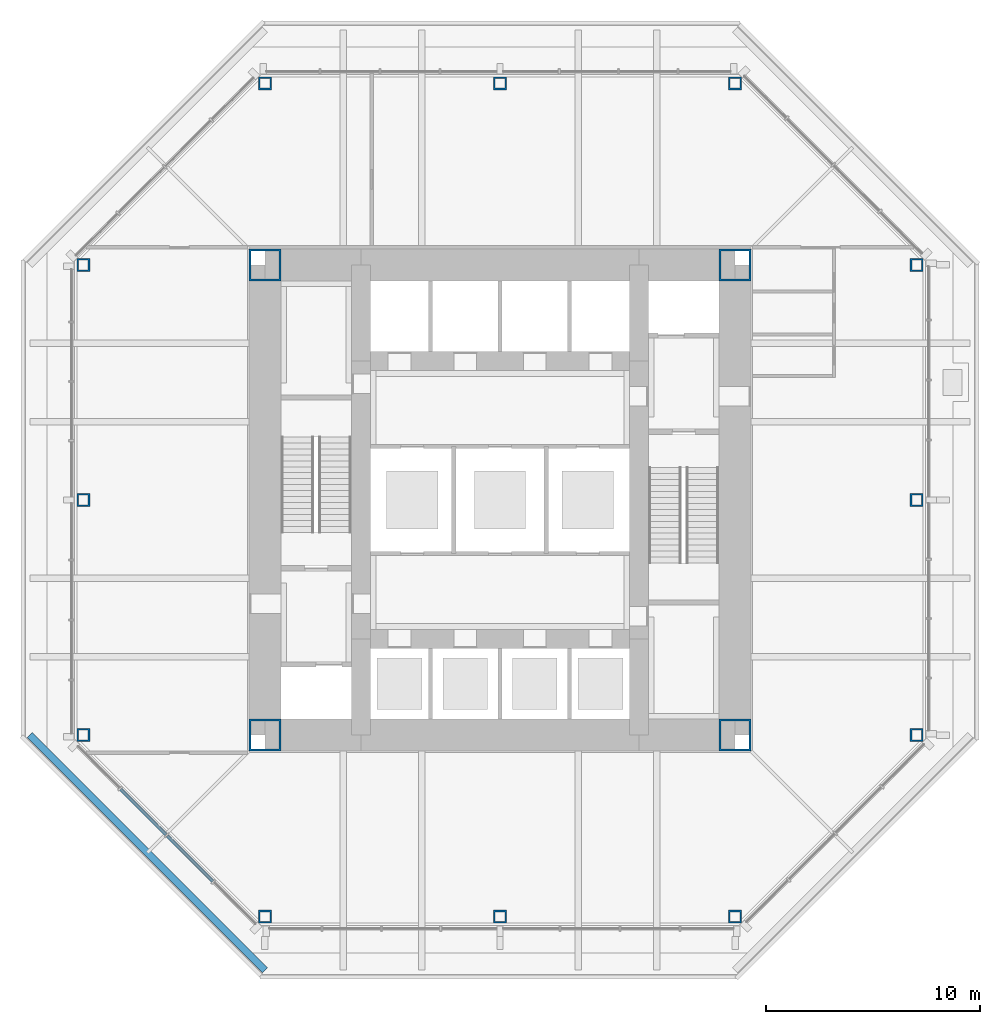
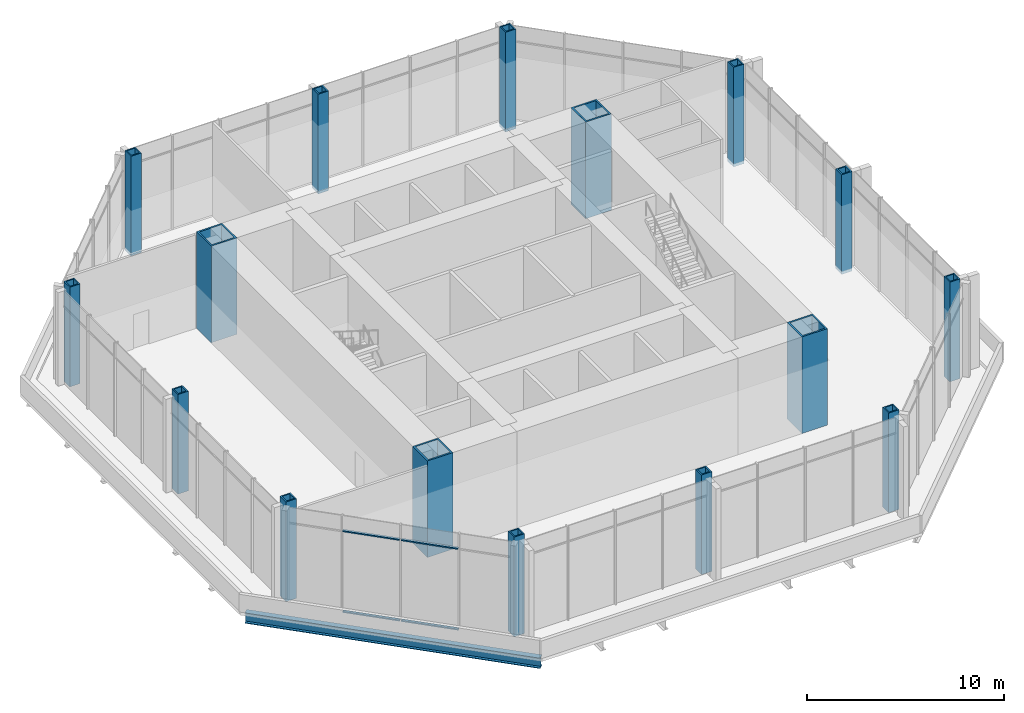
# One storey, part 1 of 10: 16 columns, 4 members, 1 beam, 1 element without a shape of its own.
"""IFC4 building model written with IfcOpenShell, lengths in metres."""

from ifc_helpers import new_model, si_unit, direction, frame, origin, origin_2d, place, context, subcontext, project, spatial, rectangle, hollow_rectangle, i_section, extrude, material, material_profile, profile_set, type_object, element, aggregate, save


model = new_model("IFC4")

# Units and contexts
model_context = context("Model", 3, precision=1e-05, world=origin(), true_north=direction((0.0, 1.0)))
body_context = subcontext(model_context, "Body", "Model", "MODEL_VIEW")
ifc_project = project(units=[si_unit("LENGTHUNIT", "METRE"), si_unit("AREAUNIT", "SQUARE_METRE"), si_unit("VOLUMEUNIT", "CUBIC_METRE"), si_unit("PLANEANGLEUNIT", "RADIAN"), si_unit("MASSUNIT", "GRAM", prefix="KILO")], contexts=[model_context])

# Site, building, storey
site_placement = place(None, origin())
site = spatial("IfcSite", under=ifc_project, at=site_placement, CompositionType="ELEMENT")
building_placement = place(site_placement, origin())
building = spatial("IfcBuilding", under=site, at=building_placement, Name="Trevanion Tower", CompositionType="ELEMENT")
storey_placement = place(building_placement, frame((0.0, 0.0, 184.699951171875)))
storey = spatial("IfcBuildingStorey", under=building, at=storey_placement, Name="L43", CompositionType="ELEMENT", Elevation=184.699951171875)

# Columns
ifc_material_1 = material(Name="Steel ASTM A572 Grade 50", Category="steel")
ifc_material_profile_1 = material_profile(ifc_material_1, hollow_rectangle(XDim=0.609619140625, YDim=0.609619140625, WallThickness=0.076171875, at=origin_2d()), Name="BOX24X24X3")
ifc_profile_set_1 = profile_set([ifc_material_profile_1], Name="Steel ASTM A572 Grade 50")
column_type_1 = type_object("IfcColumnType", Name="C5 BOX24X24X3", PredefinedType="COLUMN", material=ifc_profile_set_1)
for number, where, z_axis, x_axis, name in (
    (1, (-19.5, 0.0, -0.18994140625), (0.0, 0.0, 1.0), (0.0, 1.0, 0.0), "C5 5/H L43"),
    (2, (-19.5, -11.0, -0.18994140625), (0.0, 0.0, 1.0), (0.0, 1.0, 0.0), "C5 5/F L43"),
    (3, (-11.0, -19.5, -0.18994140625), (0.0, 0.0, 1.0), (1.0, 0.0, 0.0), "C5 8/C L43"),
    (4, (0.0, -19.5, -0.18994140625), (0.0, 0.0, 1.0), (1.0, 0.0, 0.0), "C5 10/C L43"),
    (5, (11.0, -19.5, -0.18994140625), (0.0, 0.0, 1.0), (1.0, 0.0, 0.0), "C5 12/C L43"),
    (6, (19.5, -11.0, -0.18994140625), (0.0, 0.0, 1.0), (0.0, 1.0, 0.0), "C5 15/F L43"),
    (7, (19.5, 0.0, -0.18994140625), (0.0, 0.0, 1.0), (0.0, 1.0, 0.0), "C5 15/H L43"),
    (8, (19.5, 11.0, -0.18994140625), (0.0, 0.0, 1.0), (0.0, 1.0, 0.0), "C5 15/K L43"),
    (9, (11.0, 19.5, -0.18994140625), (0.0, 0.0, 1.0), (1.0, 0.0, 0.0), "C5 12/N L43"),
    (10, (0.0, 19.5, -0.18994140625), (0.0, 0.0, 1.0), (1.0, 0.0, 0.0), "C5 10/N L43"),
    (11, (-11.0, 19.5, -0.18994140625), (0.0, 0.0, 1.0), (1.0, 0.0, 0.0), "C5 8/N L43"),
    (12, (-19.5, 11.0, -0.18994140625), (0.0, 0.0, 1.0), (0.0, 1.0, 0.0), "C5 5/K L43"),
):
    element("IfcColumn", number, at=place(storey_placement, frame(where, z_axis=z_axis, x_axis=x_axis)), inside=storey, type_object=column_type_1, Name=name, PredefinedType="COLUMN", context=body_context, shape_type="SweptSolid", body=[
        extrude(hollow_rectangle(XDim=0.609619140625, YDim=0.609619140625, WallThickness=0.076171875, at=origin_2d()), origin(), (0.0, 0.0, 1.0), 6.18994140625),
    ])
ifc_material_2 = material(Name="Steel ASTM A572 Grade 50", Category="steel")
ifc_material_profile_2 = material_profile(ifc_material_2, hollow_rectangle(XDim=1.49853515625, YDim=1.49853515625, WallThickness=0.1015625, at=origin_2d()), Name="BOX59X59X4")
ifc_profile_set_2 = profile_set([ifc_material_profile_2], Name="Steel ASTM A572 Grade 50")
column_type_2 = type_object("IfcColumnType", Name="CB1 BOX59X59X4", PredefinedType="COLUMN", material=ifc_profile_set_2)
for number, where, z_axis, x_axis, name in (
    (13, (11.0, 11.0, 0.0), (0.0, 0.0, 1.0), (1.0, 0.0, 0.0), "CB1 NE L43"),
    (14, (-11.0, 11.0, 0.0), (0.0, 0.0, 1.0), (1.0, 0.0, 0.0), "CB1 NW L43"),
    (15, (-11.0, -11.0, 0.0), (0.0, 0.0, 1.0), (1.0, 0.0, 0.0), "CB1 SW L43"),
    (16, (11.0, -11.0, 0.0), (0.0, 0.0, 1.0), (1.0, 0.0, 0.0), "CB1 SE L43"),
):
    element("IfcColumn", number, at=place(storey_placement, frame(where, z_axis=z_axis, x_axis=x_axis)), inside=storey, type_object=column_type_2, Name=name, PredefinedType="COLUMN", context=body_context, shape_type="SweptSolid", body=[
        extrude(hollow_rectangle(XDim=1.49853515625, YDim=1.49853515625, WallThickness=0.1015625, at=origin_2d()), origin(), (0.0, 0.0, 1.0), 6.0),
    ])

# Curtain wall, members
ifc_material_3 = material(Name="Aluminium and glass", Category="aluminium")
curtain_wall_type = type_object("IfcCurtainWallType", Name="CW3 curtain wall", PredefinedType="USERDEFINED", material=ifc_material_3)
curtain_wall_placement = place(storey_placement, origin())
curtain_wall = element("IfcCurtainWall", 17, at=curtain_wall_placement, inside=storey, type_object=curtain_wall_type, Name="CW3 L43 5", ObjectType="UNITISED CURTAIN WALL", PredefinedType="USERDEFINED")
ifc_material_4 = material(Name="Aluminium extrusion, anodised bronze", Category="aluminium")
ifc_material_profile_3 = material_profile(ifc_material_4, rectangle(XDim=0.14990234375, YDim=0.074951171875, at=origin_2d()), Name="CW3 transom")
ifc_profile_set_3 = profile_set([ifc_material_profile_3], Name="Aluminium extrusion, anodised bronze")
member_type = type_object("IfcMemberType", Name="CW3 transom", PredefinedType="USERDEFINED", material=ifc_profile_set_3)
member_1_placement = place(storey_placement, frame((-17.7490234375, -13.52880859375, -0.15234375), z_axis=(0.707106781187, -0.707106781187, 0.0), x_axis=(0.707106781187, 0.707106781187, 0.0)))
member_1 = element("IfcMember", 18, at=member_1_placement, type_object=member_type, Name="CW3 transom 2.1", ObjectType="TRANSOM", PredefinedType="USERDEFINED", context=body_context, shape_type="SweptSolid", body=[
    extrude(rectangle(XDim=0.14990234375, YDim=0.074951171875, at=origin_2d()), origin(), (0.0, 0.0, 1.0), 3.01171875),
])
member_2_placement = place(storey_placement, frame((-17.7490234375, -13.52880859375, 4.860107421875), z_axis=(0.707106781187, -0.707106781187, 0.0), x_axis=(0.707106781187, 0.707106781187, 0.0)))
member_2 = element("IfcMember", 19, at=member_2_placement, type_object=member_type, Name="CW3 transom 2.2", ObjectType="TRANSOM", PredefinedType="USERDEFINED", context=body_context, shape_type="SweptSolid", body=[
    extrude(rectangle(XDim=0.14990234375, YDim=0.074951171875, at=origin_2d()), origin(), (0.0, 0.0, 1.0), 3.01171875),
])
member_3_placement = place(storey_placement, frame((-15.56640625, -15.71142578125, -0.15234375), z_axis=(0.707106781187, -0.707106781187, 0.0), x_axis=(0.707106781187, 0.707106781187, 0.0)))
member_3 = element("IfcMember", 20, at=member_3_placement, type_object=member_type, Name="CW3 transom 3.1", ObjectType="TRANSOM", PredefinedType="USERDEFINED", context=body_context, shape_type="SweptSolid", body=[
    extrude(rectangle(XDim=0.14990234375, YDim=0.074951171875, at=origin_2d()), origin(), (0.0, 0.0, 1.0), 3.011474609375),
])
member_4_placement = place(storey_placement, frame((-15.56640625, -15.71142578125, 4.860107421875), z_axis=(0.707106781187, -0.707106781187, 0.0), x_axis=(0.707106781187, 0.707106781187, 0.0)))
member_4 = element("IfcMember", 21, at=member_4_placement, type_object=member_type, Name="CW3 transom 3.2", ObjectType="TRANSOM", PredefinedType="USERDEFINED", context=body_context, shape_type="SweptSolid", body=[
    extrude(rectangle(XDim=0.14990234375, YDim=0.074951171875, at=origin_2d()), origin(), (0.0, 0.0, 1.0), 3.011474609375),
])
aggregate(curtain_wall, [member_1, member_2, member_3, member_4])

# Beam
ifc_material_5 = material(Name="Steel ASTM A992 Grade 50", Category="steel")
ifc_material_profile_4 = material_profile(ifc_material_5, i_section(OverallWidth=0.330078125, OverallDepth=0.647705078125, WebThickness=0.0205078125, FlangeThickness=0.037109375, at=origin_2d()), Name="W24X192")
ifc_profile_set_4 = profile_set([ifc_material_profile_4], Name="Steel ASTM A992 Grade 50")
beam_type = type_object("IfcBeamType", Name="SB7 W24X192", PredefinedType="SPANDREL", material=ifc_profile_set_4)
beam_placement = place(storey_placement, frame((-22.0, -11.0, -0.513916015625), z_axis=(0.707106781187, -0.707106781187, 0.0), x_axis=(0.707106781187, 0.707106781187, 0.0)))
element("IfcBeam", 22, at=beam_placement, inside=storey, type_object=beam_type, Name="SB7 L43", PredefinedType="SPANDREL", context=body_context, shape_type="SweptSolid", body=[
    extrude(i_section(OverallWidth=0.330078125, OverallDepth=0.647705078125, WebThickness=0.0205078125, FlangeThickness=0.037109375, at=origin_2d()), origin(), (0.0, 0.0, 1.0), 15.556396484375),
])

save(model, "model.ifc")
